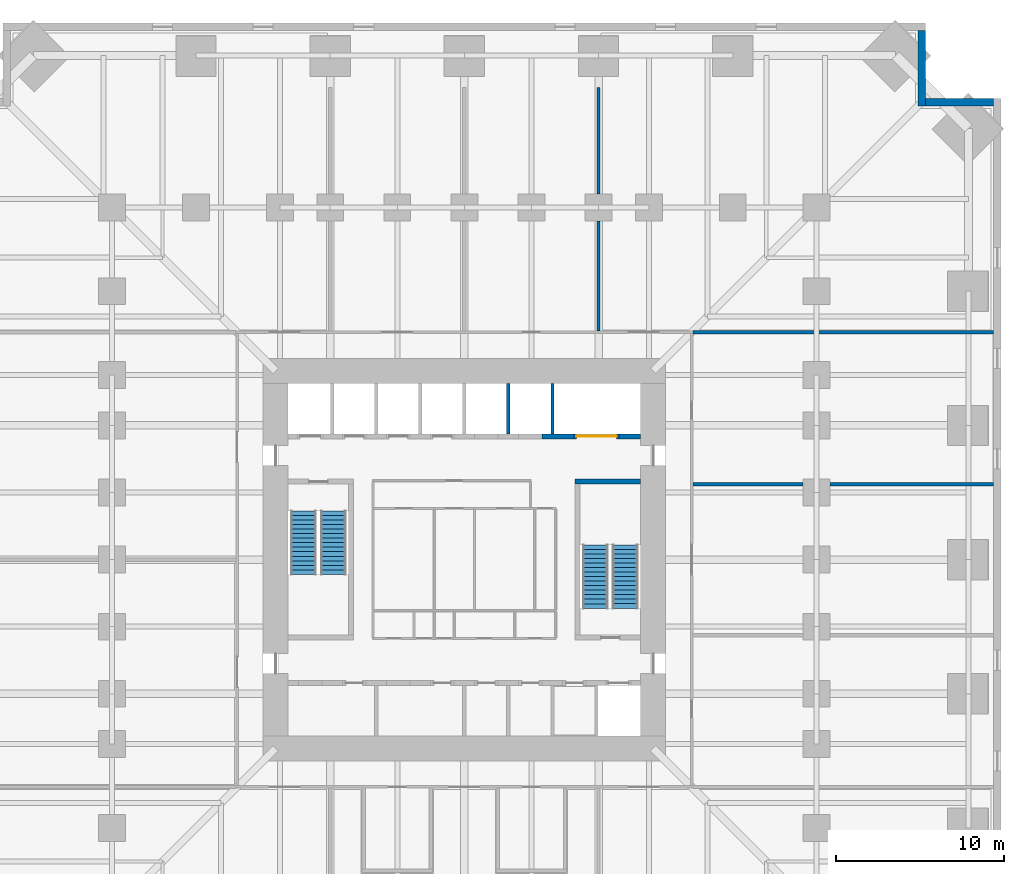
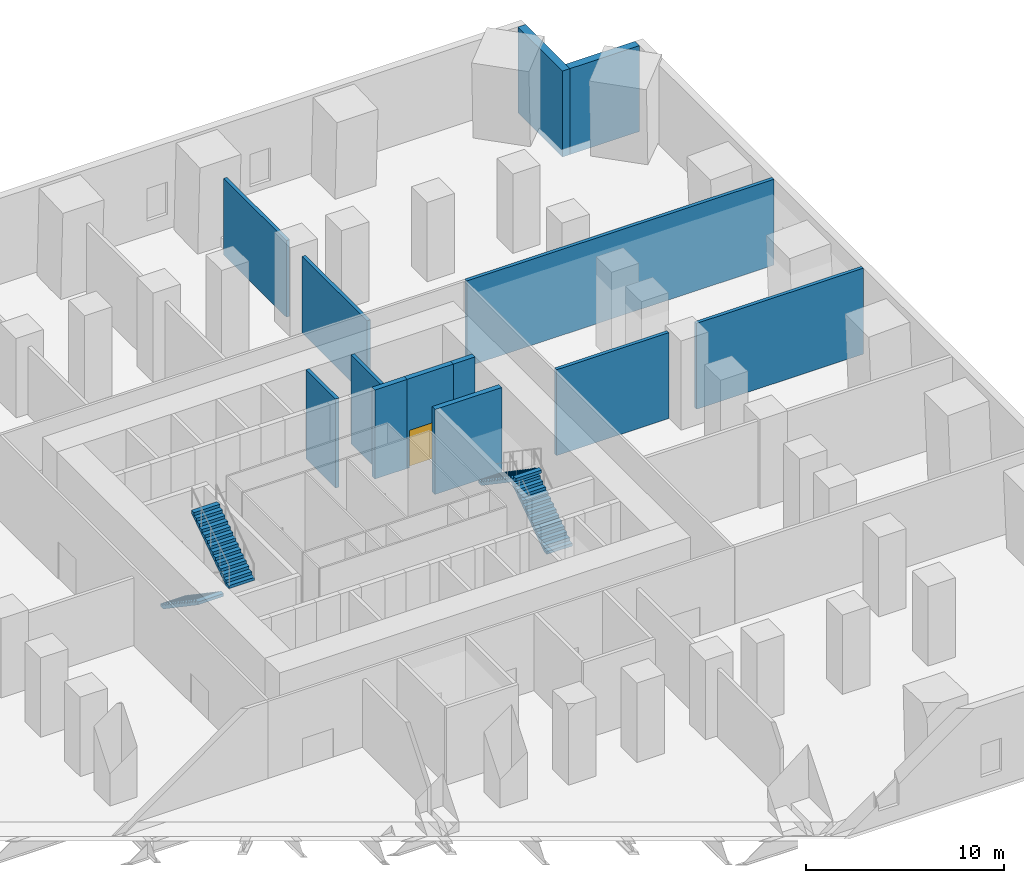
# One storey, part 7 of 8: 13 walls, 4 stair flights, 1 door, 1 opening, 2 elements without a shape of their own.
"""IFC4 building model written with IfcOpenShell, lengths in metres."""

from ifc_helpers import new_model, si_unit, direction, frame, frame_2d, origin, place, context, subcontext, project, spatial, polyline, rectangle, outline, extrude, material, layer, layer_set, type_object, element, fill, aggregate, save


model = new_model("IFC4")

# Units and contexts
model_context = context("Model", 3, precision=1e-05, world=origin(), true_north=direction((0.0, 1.0)))
body_context = subcontext(model_context, "Body", "Model", "MODEL_VIEW")
ifc_project = project(units=[si_unit("LENGTHUNIT", "METRE"), si_unit("AREAUNIT", "SQUARE_METRE"), si_unit("VOLUMEUNIT", "CUBIC_METRE"), si_unit("PLANEANGLEUNIT", "RADIAN"), si_unit("MASSUNIT", "GRAM", prefix="KILO")], contexts=[model_context])

# Site, building, storey
site_placement = place(None, origin())
site = spatial("IfcSite", under=ifc_project, at=site_placement, CompositionType="ELEMENT")
building_placement = place(site_placement, origin())
building = spatial("IfcBuilding", under=site, at=building_placement, Name="Peilmerk Tower", CompositionType="ELEMENT")
storey_placement = place(building_placement, frame((0.0, 0.0, 21.0)))
storey = spatial("IfcBuildingStorey", under=building, at=storey_placement, Name="L04", CompositionType="ELEMENT", Elevation=21.0)

# Walls
ifc_material_1 = material(Name="Precast concrete C45/55, board-marked finish", Category="concrete")
ifc_layer_1 = layer(ifc_material_1, 0.449951171875)
ifc_layer_set_1 = layer_set([ifc_layer_1], Name="Precast concrete C45/55, board-marked finish")
wall_type_1 = type_object("IfcWallType", Name="EW1 450 precast concrete facade wall, board-marked", PredefinedType="SOLIDWALL", material=ifc_layer_set_1)
wall_1_placement = place(storey_placement, frame((27.27490234375, 27.050048828125, 0.0), z_axis=(0.0, 0.0, 1.0), x_axis=(0.0, 1.0, 0.0)))
element("IfcWall", 1, at=wall_1_placement, inside=storey, type_object=wall_type_1, Name="Facade wall NEA L04", PredefinedType="SOLIDWALL", context=body_context, shape_type="SweptSolid", body=[
    extrude(rectangle(XDim=4.5, YDim=0.449951171875, at=frame_2d((2.25, 0.0))), origin(), (0.0, 0.0, 1.0), 5.300048828125),
])
wall_2_placement = place(storey_placement, frame((27.5, 27.27490234375, 0.0), z_axis=(0.0, 0.0, 1.0), x_axis=(1.0, 0.0, 0.0)))
element("IfcWall", 2, at=wall_2_placement, inside=storey, type_object=wall_type_1, Name="Facade wall NEB L04", PredefinedType="SOLIDWALL", context=body_context, shape_type="SweptSolid", body=[
    extrude(rectangle(XDim=4.050048828125, YDim=0.449951171875, at=frame_2d((2.02490234375, 0.0))), origin(), (0.0, 0.0, 1.0), 5.300048828125),
])
ifc_material_2 = material(Name="Calcium silicate block", Category="masonry")
ifc_layer_2 = layer(ifc_material_2, 0.199951171875)
ifc_layer_set_2 = layer_set([ifc_layer_2], Name="Calcium silicate block")
wall_type_2 = type_object("IfcWallType", Name="IW2 200 room separating wall, EI 120", PredefinedType="PARTITIONING", material=ifc_layer_set_2)
wall_3_placement = place(storey_placement, frame((13.625, 13.550048828125, 0.0), z_axis=(0.0, 0.0, 1.0), x_axis=(1.0, 0.0, 0.0)))
element("IfcWall", 3, at=wall_3_placement, inside=storey, type_object=wall_type_2, Name="Room separating wall NE L04", PredefinedType="PARTITIONING", context=body_context, shape_type="SweptSolid", body=[
    extrude(rectangle(XDim=17.925048828125, YDim=0.199951171875, at=frame_2d((8.96240234375, 0.0))), origin(), (0.0, 0.0, 1.0), 5.300048828125),
])
wall_4_placement = place(storey_placement, frame((8.0, 13.625, 0.0), z_axis=(0.0, 0.0, 1.0), x_axis=(0.0, 1.0, 0.0)))
element("IfcWall", 4, at=wall_4_placement, inside=storey, type_object=wall_type_2, Name="Room separating wall N3 L04", PredefinedType="PARTITIONING", context=body_context, shape_type="SweptSolid", body=[
    extrude(rectangle(XDim=6.574951171875, YDim=0.199951171875, at=frame_2d((3.28759765625, 0.0))), origin(), (0.0, 0.0, 1.0), 4.73095703125),
])
wall_5_placement = place(storey_placement, frame((8.0, 21.800048828125, 0.0), z_axis=(0.0, 0.0, 1.0), x_axis=(0.0, 1.0, 0.0)))
element("IfcWall", 5, at=wall_5_placement, inside=storey, type_object=wall_type_2, Name="Room separating wall N3b L04", PredefinedType="PARTITIONING", context=body_context, shape_type="SweptSolid", body=[
    extrude(rectangle(XDim=6.3310546875, YDim=0.199951171875, at=frame_2d((3.16552734375, 0.0))), origin(), (0.0, 0.0, 1.0), 4.73095703125),
])
wall_6_placement = place(storey_placement, frame((13.625, 4.5, 0.0), z_axis=(0.0, 0.0, 1.0), x_axis=(1.0, 0.0, 0.0)))
element("IfcWall", 6, at=wall_6_placement, inside=storey, type_object=wall_type_2, Name="Room separating wall E2 L04", PredefinedType="PARTITIONING", context=body_context, shape_type="SweptSolid", body=[
    extrude(rectangle(XDim=6.574951171875, YDim=0.199951171875, at=frame_2d((3.28759765625, 0.0))), origin(), (0.0, 0.0, 1.0), 5.300048828125),
])
wall_7_placement = place(storey_placement, frame((21.800048828125, 4.5, 0.0), z_axis=(0.0, 0.0, 1.0), x_axis=(1.0, 0.0, 0.0)))
element("IfcWall", 7, at=wall_7_placement, inside=storey, type_object=wall_type_2, Name="Room separating wall E2b L04", PredefinedType="PARTITIONING", context=body_context, shape_type="SweptSolid", body=[
    extrude(rectangle(XDim=9.75, YDim=0.199951171875, at=frame_2d((4.875, 0.0))), origin(), (0.0, 0.0, 1.0), 5.300048828125),
])
ifc_material_3 = material(Name="Concrete C35/45", Category="concrete")
ifc_layer_3 = layer(ifc_material_3, 0.300048828125)
ifc_layer_set_3 = layer_set([ifc_layer_3], Name="Concrete C35/45")
wall_type_3 = type_object("IfcWallType", Name="IW3 300 concrete stair enclosure wall, EI 120", PredefinedType="SOLIDWALL", material=ifc_layer_set_3)
wall_8_placement = place(storey_placement, frame((6.60009765625, 4.64990234375, 0.0), z_axis=(0.0, 0.0, 1.0), x_axis=(1.0, 0.0, 0.0)))
element("IfcWall", 8, at=wall_8_placement, inside=storey, type_object=wall_type_3, Name="Stair 2 enclosure L04", PredefinedType="SOLIDWALL", context=body_context, shape_type="SweptSolid", body=[
    extrude(rectangle(XDim=3.89990234375, YDim=0.300048828125, at=frame_2d((1.949951171875, 0.0))), origin(), (0.0, 0.0, 1.0), 5.25),
])
ifc_layer_4 = layer(ifc_material_2, 0.199951171875)
ifc_layer_set_4 = layer_set([ifc_layer_4], Name="Calcium silicate block")
wall_type_4 = type_object("IfcWallType", Name="SH1 200 shaft dividing wall, EI 120", PredefinedType="PARTITIONING", material=ifc_layer_set_4)
for number, where, z_axis, x_axis, name in (
    (9, (2.625, 7.5, 0.0), (0.0, 0.0, 1.0), (0.0, 1.0, 0.0), "Shaft wall N S1 L04"),
    (10, (5.25, 7.5, 0.0), (0.0, 0.0, 1.0), (0.0, 1.0, 0.0), "Shaft wall N S2 L04"),
):
    element("IfcWall", number, at=place(storey_placement, frame(where, z_axis=z_axis, x_axis=x_axis)), inside=storey, type_object=wall_type_4, Name=name, PredefinedType="PARTITIONING", context=body_context, shape_type="SweptSolid", body=[
        extrude(rectangle(XDim=3.0, YDim=0.199951171875, at=frame_2d((1.5, 0.0))), origin(), (0.0, 0.0, 1.0), 5.5),
    ])

# Wall, opening, door
ifc_layer_5 = layer(ifc_material_2, 0.300048828125)
ifc_layer_set_5 = layer_set([ifc_layer_5], Name="Calcium silicate block")
wall_type_5 = type_object("IfcWallType", Name="SH2 300 lift landing door panel, EI 120", PredefinedType="PARTITIONING", material=ifc_layer_set_5)
wall_9_placement = place(storey_placement, frame((6.52490234375, 7.35009765625, 0.0), z_axis=(0.0, 0.0, 1.0), x_axis=(1.0, 0.0, 0.0)))
wall_9 = element("IfcWall", 11, at=wall_9_placement, inside=storey, type_object=wall_type_5, Name="Lift door panel N GL1 L04", PredefinedType="PARTITIONING", context=body_context, shape_type="SweptSolid", body=[
    extrude(rectangle(XDim=2.7001953125, YDim=0.300048828125, at=frame_2d((1.35009765625, 0.0))), origin(), (0.0, 0.0, 1.0), 5.5),
])
opening_placement = place(wall_9_placement, frame((0.14990234375, 0.0, 0.0)))
opening = element("IfcOpeningElement", 12, at=opening_placement, cuts=wall_9, Name="Opening LD3", PredefinedType="OPENING", context=body_context, shape_type="SweptSolid", body=[
    extrude(rectangle(XDim=2.39990234375, YDim=2.300048828125, at=frame_2d((1.199951171875, 1.14990234375))), frame((0.0, 0.159912109375, 0.0), z_axis=(0.0, -1.0, 0.0), x_axis=(1.0, 0.0, 0.0)), (0.0, 0.0, 1.0), 0.320068359375),
])
ifc_material_4 = material(Name="Stainless steel landing door", Category="steel")
door_type = type_object("IfcDoorType", Name="LD3 2400x2300 lift landing door, sliding, EI2 60", OperationType="SLIDING_TO_LEFT", PredefinedType="DOOR", material=ifc_material_4)
door_placement = place(opening_placement, frame((2.39990234375, 0.0, 0.0), z_axis=(0.0, 0.0, 1.0), x_axis=(-1.0, 0.0, 0.0)))
door = element("IfcDoor", 13, at=door_placement, inside=storey, type_object=door_type, Name="Lift landing door GL1 L04", OperationType="SLIDING_TO_LEFT", OverallHeight=2.300048828125, OverallWidth=2.39990234375, PredefinedType="DOOR", context=body_context, shape_type="SweptSolid", body=[
    extrude(rectangle(XDim=2.39990234375, YDim=2.300048828125, at=frame_2d((1.199951171875, 1.14990234375))), frame((0.0, 0.02490234375, 0.0), z_axis=(0.0, -1.0, 0.0), x_axis=(1.0, 0.0, 0.0)), (0.0, 0.0, 1.0), 0.050048828125),
])
fill(opening, door)

# Walls
ifc_material_5 = material(Name="Concrete C55/67", Category="concrete")
ifc_layer_6 = layer(ifc_material_5, 0.300048828125)
ifc_layer_set_6 = layer_set([ifc_layer_6], Name="Concrete C55/67")
wall_type_6 = type_object("IfcWallType", Name="SW2 300 lift bank pier", PredefinedType="SHEAR", material=ifc_layer_set_6)
wall_10_placement = place(storey_placement, frame((4.637451171875, 7.35009765625, 0.0), z_axis=(0.0, 0.0, 1.0), x_axis=(1.0, 0.0, 0.0)))
element("IfcWall", 14, at=wall_10_placement, inside=storey, type_object=wall_type_6, Name="Lift bank pier N L04", PredefinedType="SHEAR", context=body_context, shape_type="SweptSolid", body=[
    extrude(rectangle(XDim=1.887451171875, YDim=0.300048828125, at=frame_2d((0.94384765625, 0.0))), origin(), (0.0, 0.0, 1.0), 5.5),
])
wall_11_placement = place(storey_placement, frame((9.22509765625, 7.35009765625, 0.0), z_axis=(0.0, 0.0, 1.0), x_axis=(1.0, 0.0, 0.0)))
element("IfcWall", 15, at=wall_11_placement, inside=storey, type_object=wall_type_6, Name="Lift bank pier N L04", PredefinedType="SHEAR", context=body_context, shape_type="SweptSolid", body=[
    extrude(rectangle(XDim=1.27490234375, YDim=0.300048828125, at=frame_2d((0.637451171875, 0.0))), origin(), (0.0, 0.0, 1.0), 5.5),
])

# Stair, stair flights
ifc_material_6 = material(Name="Precast concrete C45/55", Category="concrete")
stair_type_1 = type_object("IfcStairType", Name="ST1 30 risers of 183.3", PredefinedType="HALF_TURN_STAIR", material=ifc_material_6)
stair_1_placement = place(storey_placement, origin())
stair_1 = element("IfcStair", 16, at=stair_1_placement, inside=storey, type_object=stair_type_1, Name="Stair 1 L04 to L05", PredefinedType="HALF_TURN_STAIR")
stair_flight_type = type_object("IfcStairFlightType", Name="SF15 flight, 15 risers of 183.3", PredefinedType="STRAIGHT", material=ifc_material_6)
stair_flight_1_placement = place(storey_placement, frame((-9.60009765625, 2.89990234375, 0.0), z_axis=(0.0, 0.0, 1.0), x_axis=(0.0, -1.0, 0.0)))
stair_flight_1 = element("IfcStairFlight", 17, at=stair_flight_1_placement, type_object=stair_flight_type, Name="ST1 flight 1", NumberOfRisers=15, NumberOfTreads=14, PredefinedType="STRAIGHT", RiserHeight=0.183333333, TreadLength=0.27, context=body_context, shape_type="SweptSolid", body=[
    extrude(outline(polyline([(0.0, 0.0), (0.0, 0.183349609375), (0.27001953125, 0.183349609375), (0.27001953125, 0.36669921875), (0.5400390625, 0.36669921875), (0.5400390625, 0.550048828125), (0.81005859375, 0.550048828125), (0.81005859375, 0.7333984375), (1.080078125, 0.7333984375), (1.080078125, 0.916748046875), (1.35009765625, 0.916748046875), (1.35009765625, 1.10009765625), (1.6201171875, 1.10009765625), (1.6201171875, 1.283447265625), (1.889892578125, 1.283447265625), (1.889892578125, 1.466552734375), (2.159912109375, 1.466552734375), (2.159912109375, 1.64990234375), (2.429931640625, 1.64990234375), (2.429931640625, 1.833251953125), (2.699951171875, 1.833251953125), (2.699951171875, 2.0166015625), (2.969970703125, 2.0166015625), (2.969970703125, 2.199951171875), (3.239990234375, 2.199951171875), (3.239990234375, 2.38330078125), (3.510009765625, 2.38330078125), (3.510009765625, 2.566650390625), (3.780029296875, 2.566650390625), (3.780029296875, 2.75), (3.780029296875, 2.385498046875), (0.266845703125, 0.0), (0.0, 0.0)])), frame((0.0, 0.75, 0.0), z_axis=(0.0, -1.0, 0.0), x_axis=(1.0, 0.0, 0.0)), (0.0, 0.0, 1.0), 1.5),
])
stair_flight_2_placement = place(storey_placement, frame((-7.800048828125, -0.8798828125, 2.75), z_axis=(0.0, 0.0, 1.0), x_axis=(0.0, 1.0, 0.0)))
stair_flight_2 = element("IfcStairFlight", 18, at=stair_flight_2_placement, type_object=stair_flight_type, Name="ST1 flight 2", NumberOfRisers=15, NumberOfTreads=14, PredefinedType="STRAIGHT", RiserHeight=0.183333333, TreadLength=0.27, context=body_context, shape_type="SweptSolid", body=[
    extrude(outline(polyline([(0.0, 0.0), (0.0, 0.183349609375), (0.27001953125, 0.183349609375), (0.27001953125, 0.36669921875), (0.5400390625, 0.36669921875), (0.5400390625, 0.550048828125), (0.81005859375, 0.550048828125), (0.81005859375, 0.7333984375), (1.080078125, 0.7333984375), (1.080078125, 0.916748046875), (1.35009765625, 0.916748046875), (1.35009765625, 1.10009765625), (1.6201171875, 1.10009765625), (1.6201171875, 1.283447265625), (1.889892578125, 1.283447265625), (1.889892578125, 1.466552734375), (2.159912109375, 1.466552734375), (2.159912109375, 1.64990234375), (2.429931640625, 1.64990234375), (2.429931640625, 1.833251953125), (2.699951171875, 1.833251953125), (2.699951171875, 2.0166015625), (2.969970703125, 2.0166015625), (2.969970703125, 2.199951171875), (3.239990234375, 2.199951171875), (3.239990234375, 2.38330078125), (3.510009765625, 2.38330078125), (3.510009765625, 2.566650390625), (3.780029296875, 2.566650390625), (3.780029296875, 2.75), (3.780029296875, 2.385498046875), (0.266845703125, 0.0), (0.0, 0.0)])), frame((0.0, 0.75, 0.0), z_axis=(0.0, -1.0, 0.0), x_axis=(1.0, 0.0, 0.0)), (0.0, 0.0, 1.0), 1.5),
])
aggregate(stair_1, [stair_flight_1, stair_flight_2])

stair_type_2 = type_object("IfcStairType", Name="ST2 30 risers of 183.3", PredefinedType="HALF_TURN_STAIR", material=ifc_material_6)
stair_2_placement = place(storey_placement, origin())
stair_2 = element("IfcStair", 19, at=stair_2_placement, inside=storey, type_object=stair_type_2, Name="Stair 2 L04 to L05", PredefinedType="HALF_TURN_STAIR")
stair_flight_3_placement = place(storey_placement, frame((9.60009765625, -2.89990234375, 0.0), z_axis=(0.0, 0.0, 1.0), x_axis=(0.0, 1.0, 0.0)))
stair_flight_3 = element("IfcStairFlight", 20, at=stair_flight_3_placement, type_object=stair_flight_type, Name="ST2 flight 1", NumberOfRisers=15, NumberOfTreads=14, PredefinedType="STRAIGHT", RiserHeight=0.183333333, TreadLength=0.27, context=body_context, shape_type="SweptSolid", body=[
    extrude(outline(polyline([(0.0, 0.0), (0.0, 0.183349609375), (0.27001953125, 0.183349609375), (0.27001953125, 0.36669921875), (0.5400390625, 0.36669921875), (0.5400390625, 0.550048828125), (0.81005859375, 0.550048828125), (0.81005859375, 0.7333984375), (1.080078125, 0.7333984375), (1.080078125, 0.916748046875), (1.35009765625, 0.916748046875), (1.35009765625, 1.10009765625), (1.6201171875, 1.10009765625), (1.6201171875, 1.283447265625), (1.889892578125, 1.283447265625), (1.889892578125, 1.466552734375), (2.159912109375, 1.466552734375), (2.159912109375, 1.64990234375), (2.429931640625, 1.64990234375), (2.429931640625, 1.833251953125), (2.699951171875, 1.833251953125), (2.699951171875, 2.0166015625), (2.969970703125, 2.0166015625), (2.969970703125, 2.199951171875), (3.239990234375, 2.199951171875), (3.239990234375, 2.38330078125), (3.510009765625, 2.38330078125), (3.510009765625, 2.566650390625), (3.780029296875, 2.566650390625), (3.780029296875, 2.75), (3.780029296875, 2.385498046875), (0.266845703125, 0.0), (0.0, 0.0)])), frame((0.0, 0.75, 0.0), z_axis=(0.0, -1.0, 0.0), x_axis=(1.0, 0.0, 0.0)), (0.0, 0.0, 1.0), 1.5),
])
stair_flight_4_placement = place(storey_placement, frame((7.800048828125, 0.8798828125, 2.75), z_axis=(0.0, 0.0, 1.0), x_axis=(0.0, -1.0, 0.0)))
stair_flight_4 = element("IfcStairFlight", 21, at=stair_flight_4_placement, type_object=stair_flight_type, Name="ST2 flight 2", NumberOfRisers=15, NumberOfTreads=14, PredefinedType="STRAIGHT", RiserHeight=0.183333333, TreadLength=0.27, context=body_context, shape_type="SweptSolid", body=[
    extrude(outline(polyline([(0.0, 0.0), (0.0, 0.183349609375), (0.27001953125, 0.183349609375), (0.27001953125, 0.36669921875), (0.5400390625, 0.36669921875), (0.5400390625, 0.550048828125), (0.81005859375, 0.550048828125), (0.81005859375, 0.7333984375), (1.080078125, 0.7333984375), (1.080078125, 0.916748046875), (1.35009765625, 0.916748046875), (1.35009765625, 1.10009765625), (1.6201171875, 1.10009765625), (1.6201171875, 1.283447265625), (1.889892578125, 1.283447265625), (1.889892578125, 1.466552734375), (2.159912109375, 1.466552734375), (2.159912109375, 1.64990234375), (2.429931640625, 1.64990234375), (2.429931640625, 1.833251953125), (2.699951171875, 1.833251953125), (2.699951171875, 2.0166015625), (2.969970703125, 2.0166015625), (2.969970703125, 2.199951171875), (3.239990234375, 2.199951171875), (3.239990234375, 2.38330078125), (3.510009765625, 2.38330078125), (3.510009765625, 2.566650390625), (3.780029296875, 2.566650390625), (3.780029296875, 2.75), (3.780029296875, 2.385498046875), (0.266845703125, 0.0), (0.0, 0.0)])), frame((0.0, 0.75, 0.0), z_axis=(0.0, -1.0, 0.0), x_axis=(1.0, 0.0, 0.0)), (0.0, 0.0, 1.0), 1.5),
])
aggregate(stair_2, [stair_flight_3, stair_flight_4])

save(model, "model.ifc")
